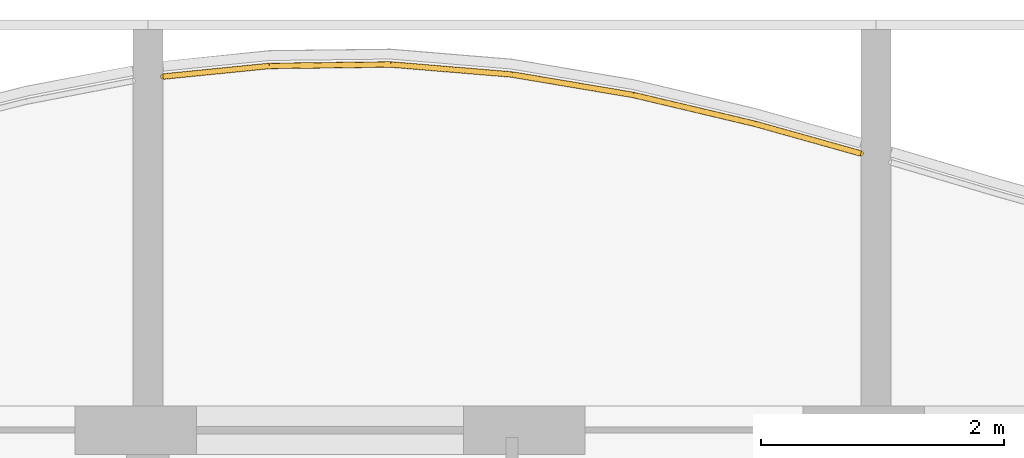
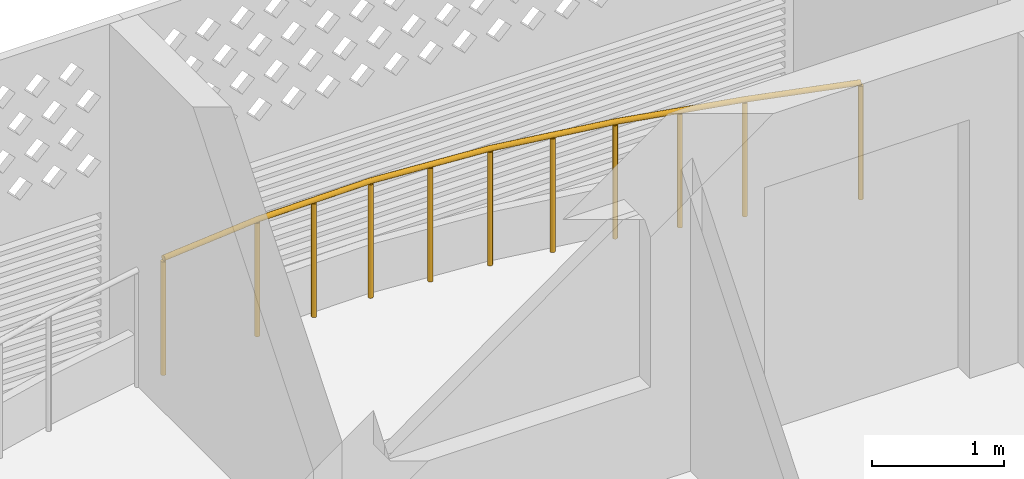
# One storey, part 26 of 27: 1 railing.
"""IFC4 building model written with IfcOpenShell, lengths in metres."""

from ifc_helpers import new_model, si_unit, direction, frame, origin, origin_2d, place, context, subcontext, project, spatial, circle, extrude, material, type_object, element, save


model = new_model("IFC4")

# Units and contexts
model_context = context("Model", 3, precision=1e-05, world=origin(), true_north=direction((0.0, 1.0)))
body_context = subcontext(model_context, "Body", "Model", "MODEL_VIEW")
ifc_project = project(units=[si_unit("LENGTHUNIT", "METRE"), si_unit("AREAUNIT", "SQUARE_METRE"), si_unit("VOLUMEUNIT", "CUBIC_METRE"), si_unit("PLANEANGLEUNIT", "RADIAN"), si_unit("MASSUNIT", "GRAM", prefix="KILO")], contexts=[model_context])

# Site, building, storey
site_placement = place(None, origin())
site = spatial("IfcSite", under=ifc_project, at=site_placement, CompositionType="ELEMENT")
building_placement = place(site_placement, origin())
building = spatial("IfcBuilding", under=site, at=building_placement, Name="Poui Terraces", CompositionType="ELEMENT")
storey_placement = place(building_placement, frame((0.0, 0.0, 92.699951171875)))
storey = spatial("IfcBuildingStorey", under=building, at=storey_placement, Name="L25", CompositionType="ELEMENT", Elevation=92.699951171875)

# Railing
ifc_material = material(Name="Painted steel fretwork", Category="steel")
railing_type = type_object("IfcRailingType", Name="BALCONY GUARD 1100", PredefinedType="GUARDRAIL", material=ifc_material)
railing_placement = place(storey_placement, frame((78.125, 46.513916015625, 0.0)))
element("IfcRailing", 1, at=railing_placement, inside=storey, type_object=railing_type, Name="BALCONY GUARD", PredefinedType="GUARDRAIL", context=body_context, shape_type="SweptSolid", body=[
    extrude(circle(Radius=0.02392578125, at=origin_2d()), frame((0.0, 0.0, 1.076171875), z_axis=(0.995048179628, 0.099393763478, 0.0), x_axis=(-0.099393763478, 0.995048179628, 0.0)), (0.0, 0.0, 1.0), 0.87939453125),
    extrude(circle(Radius=0.02392578125, at=origin_2d()), frame((0.875, 0.08740234375, 1.076171875), z_axis=(0.999928452303, 0.011962034708, 0.0), x_axis=(-0.011962034708, 0.999928452303, 0.0)), (0.0, 0.0, 1.0), 1.0),
    extrude(circle(Radius=0.02392578125, at=origin_2d()), frame((1.875, 0.099365234375, 1.076171875), z_axis=(0.99661255374, -0.082240000773, 0.0), x_axis=(0.082240000773, 0.99661255374, 0.0)), (0.0, 0.0, 1.0), 1.00341796875),
    extrude(circle(Radius=0.02392578125, at=origin_2d()), frame((2.875, 0.016845703125, 1.076171875), z_axis=(0.986066669641, -0.166350602715, 0.0), x_axis=(0.166350602715, 0.986066669641, 0.0)), (0.0, 0.0, 1.0), 1.01416015625),
    extrude(circle(Radius=0.02392578125, at=origin_2d()), frame((3.875, -0.15185546875, 1.076171875), z_axis=(0.973032599544, -0.230667640175, 0.0), x_axis=(0.230667640175, 0.973032599544, 0.0)), (0.0, 0.0, 1.0), 1.02783203125),
    extrude(circle(Radius=0.02392578125, at=origin_2d()), frame((4.875, -0.388916015625, 1.076171875), z_axis=(0.962930527594, -0.269749511636, 0.0), x_axis=(0.269749511636, 0.962930527594, 0.0)), (0.0, 0.0, 1.0), 0.90869140625),
    extrude(circle(Radius=0.02099609375, at=origin_2d()), origin(), (0.0, 0.0, 1.0), 1.052001953125),
    extrude(circle(Radius=0.02099609375, at=origin_2d()), frame((0.875, 0.08740234375, 0.0)), (0.0, 0.0, 1.0), 1.052001953125),
    extrude(circle(Radius=0.02099609375, at=origin_2d()), frame((1.375, 0.09326171875, 0.0)), (0.0, 0.0, 1.0), 1.052001953125),
    extrude(circle(Radius=0.02099609375, at=origin_2d()), frame((1.875, 0.099365234375, 0.0)), (0.0, 0.0, 1.0), 1.052001953125),
    extrude(circle(Radius=0.02099609375, at=origin_2d()), frame((2.375, 0.05810546875, 0.0)), (0.0, 0.0, 1.0), 1.052001953125),
    extrude(circle(Radius=0.02099609375, at=origin_2d()), frame((2.875, 0.016845703125, 0.0)), (0.0, 0.0, 1.0), 1.052001953125),
    extrude(circle(Radius=0.02099609375, at=origin_2d()), frame((3.375, -0.0673828125, 0.0)), (0.0, 0.0, 1.0), 1.052001953125),
    extrude(circle(Radius=0.02099609375, at=origin_2d()), frame((3.875, -0.15185546875, 0.0)), (0.0, 0.0, 1.0), 1.052001953125),
    extrude(circle(Radius=0.02099609375, at=origin_2d()), frame((4.375, -0.2705078125, 0.0)), (0.0, 0.0, 1.0), 1.052001953125),
    extrude(circle(Radius=0.02099609375, at=origin_2d()), frame((4.875, -0.388916015625, 0.0)), (0.0, 0.0, 1.0), 1.052001953125),
    extrude(circle(Radius=0.02099609375, at=origin_2d()), frame((5.75, -0.634033203125, 0.0)), (0.0, 0.0, 1.0), 1.052001953125),
])

save(model, "model.ifc")
